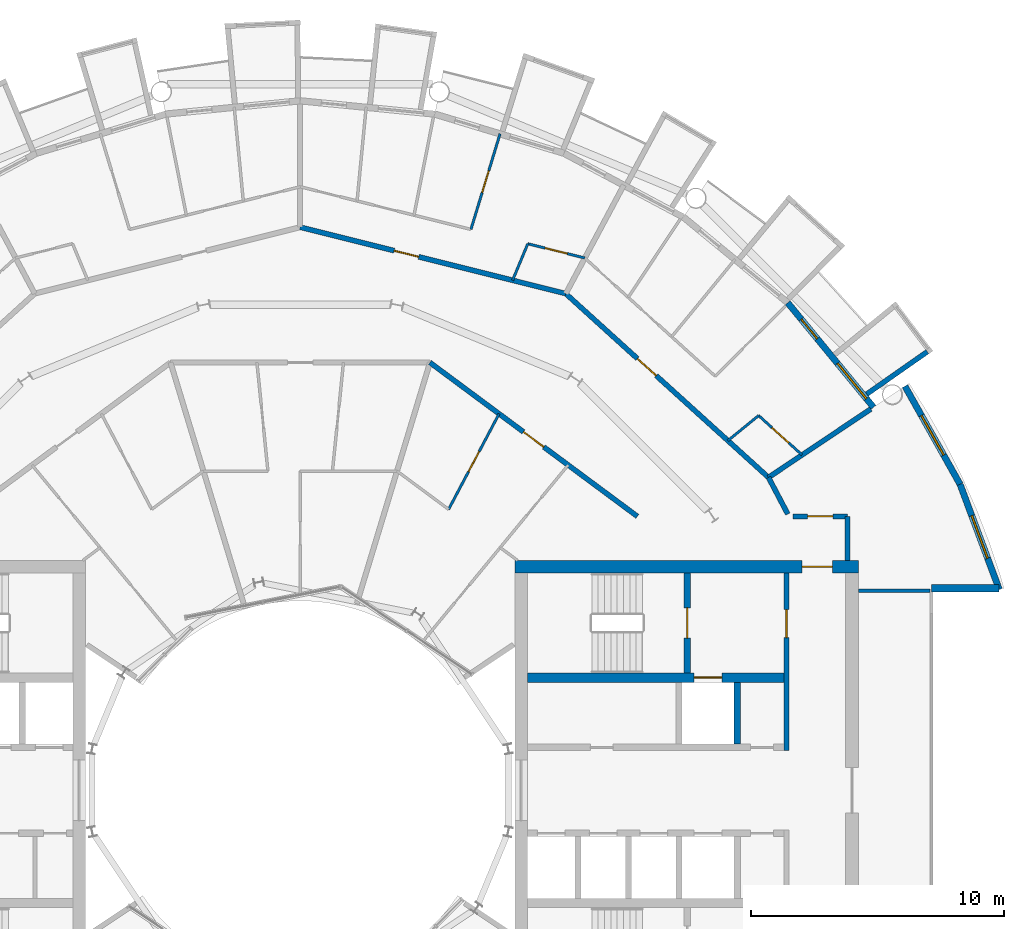
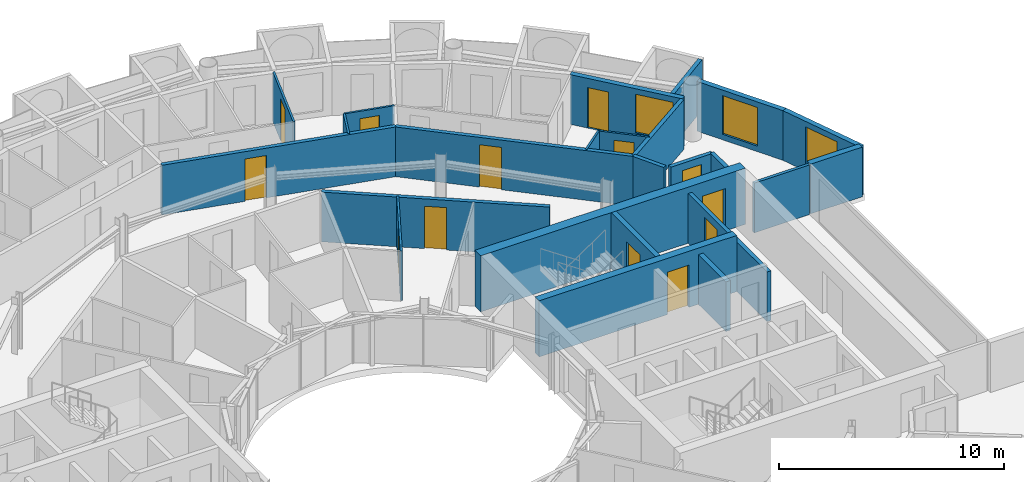
# One storey, part 22 of 27: 24 walls, 13 doors, 3 windows, 16 openings.
"""IFC4 building model written with IfcOpenShell, lengths in metres."""

from ifc_helpers import new_model, si_unit, direction, frame, frame_2d, origin, place, context, subcontext, project, spatial, rectangle, extrude, material, layer, layer_set, type_object, element, fill, save


model = new_model("IFC4")

# Units and contexts
model_context = context("Model", 3, precision=1e-05, world=origin(), true_north=direction((0.0, 1.0)))
body_context = subcontext(model_context, "Body", "Model", "MODEL_VIEW")
ifc_project = project(units=[si_unit("LENGTHUNIT", "METRE"), si_unit("AREAUNIT", "SQUARE_METRE"), si_unit("VOLUMEUNIT", "CUBIC_METRE"), si_unit("PLANEANGLEUNIT", "RADIAN"), si_unit("MASSUNIT", "GRAM", prefix="KILO")], contexts=[model_context])

# Site, building, storey
site_placement = place(None, origin())
site = spatial("IfcSite", under=ifc_project, at=site_placement, CompositionType="ELEMENT")
building_placement = place(site_placement, origin())
building = spatial("IfcBuilding", under=site, at=building_placement, Name="Maasbend Ring Residences", CompositionType="ELEMENT")
storey_placement = place(building_placement, frame((0.0, 0.0, 151.300048828125)))
storey = spatial("IfcBuildingStorey", under=building, at=storey_placement, Name="L43", CompositionType="ELEMENT", Elevation=151.300048828125)

# Wall, opening, door
ifc_material_1 = material(Name="Concrete C60/75", Category="concrete")
ifc_layer_1 = layer(ifc_material_1, 0.25)
ifc_layer_set_1 = layer_set([ifc_layer_1], Name="Concrete C60/75")
wall_type_1 = type_object("IfcWallType", Name="CORE WALL 250 C60/75", PredefinedType="SHEAR", material=ifc_layer_set_1)
wall_1_placement = place(storey_placement, frame((15.324951171875, 4.64990234375, 0.0), z_axis=(0.0, 0.0, 1.0), x_axis=(0.0, 1.0, 0.0)))
wall_1 = element("IfcWall", 1, at=wall_1_placement, inside=storey, type_object=wall_type_1, Name="L43 core E wall STEN", PredefinedType="SHEAR", context=body_context, shape_type="SweptSolid", body=[
    extrude(rectangle(XDim=3.9501953125, YDim=0.25, at=frame_2d((1.97509765625, 0.0))), origin(), (0.0, 0.0, 1.0), 3.050048828125),
])
opening_1_placement = place(wall_1_placement, frame((1.375, 0.0, 0.0)))
opening_1 = element("IfcOpeningElement", 2, at=opening_1_placement, cuts=wall_1, Name="Opening D-E4310", PredefinedType="OPENING", context=body_context, shape_type="SweptSolid", body=[
    extrude(rectangle(XDim=1.199951171875, YDim=2.300048828125, at=frame_2d((0.60009765625, 1.14990234375))), frame((0.0, 0.135009765625, 0.0), z_axis=(0.0, -1.0, 0.0), x_axis=(1.0, 0.0, 0.0)), (0.0, 0.0, 1.0), 0.27001953125),
])
ifc_material_2 = material(Name="Steel, powder coated", Category="steel")
door_type_1 = type_object("IfcDoorType", Name="STAIR DOOR 1200 X 2300 FD60", OperationType="NOTDEFINED", PredefinedType="DOOR", material=ifc_material_2)
door_1_placement = place(opening_1_placement, origin())
door_1 = element("IfcDoor", 3, at=door_1_placement, inside=storey, type_object=door_type_1, Name="Stair door ST-E L43", OperationType="SINGLE_SWING_LEFT", OverallHeight=2.300048828125, OverallWidth=1.199951171875, PredefinedType="DOOR", context=body_context, shape_type="SweptSolid", body=[
    extrude(rectangle(XDim=1.199951171875, YDim=2.300048828125, at=frame_2d((0.60009765625, 1.14990234375))), frame((0.0, 0.02490234375, 0.0), z_axis=(0.0, -1.0, 0.0), x_axis=(1.0, 0.0, 0.0)), (0.0, 0.0, 1.0), 0.050048828125),
])
fill(opening_1, door_1)

ifc_material_3 = material(Name="Concrete C60/75", Category="concrete")
ifc_layer_2 = layer(ifc_material_3, 0.375)
ifc_layer_set_2 = layer_set([ifc_layer_2], Name="Concrete C60/75")
wall_type_2 = type_object("IfcWallType", Name="CORE WALL 375 C60/75", PredefinedType="SHEAR", material=ifc_layer_set_2)
wall_2_placement = place(storey_placement, frame((9.0, 4.46240234375, 0.0), z_axis=(0.0, 0.0, 1.0), x_axis=(1.0, 0.0, 0.0)))
wall_2 = element("IfcWall", 4, at=wall_2_placement, inside=storey, type_object=wall_type_2, Name="L43 core E wall BN", PredefinedType="SHEAR", context=body_context, shape_type="SweptSolid", body=[
    extrude(rectangle(XDim=10.14990234375, YDim=0.375, at=frame_2d((5.074951171875, 0.0))), origin(), (0.0, 0.0, 1.0), 3.050048828125),
])
opening_2_placement = place(wall_2_placement, frame((6.60009765625, 0.0, 0.0)))
opening_2 = element("IfcOpeningElement", 5, at=opening_2_placement, cuts=wall_2, Name="Opening LD-E4301", PredefinedType="OPENING", context=body_context, shape_type="SweptSolid", body=[
    extrude(rectangle(XDim=1.10009765625, YDim=2.300048828125, at=frame_2d((0.550048828125, 1.14990234375))), frame((0.0, 0.197509765625, 0.0), z_axis=(0.0, -1.0, 0.0), x_axis=(1.0, 0.0, 0.0)), (0.0, 0.0, 1.0), 0.39501953125),
])
ifc_material_4 = material(Name="Stainless steel 316", Category="steel")
door_type_2 = type_object("IfcDoorType", Name="LANDING DOOR 1100 X 2300 FD60", OperationType="DOUBLE_DOOR_SLIDING", PredefinedType="DOOR", material=ifc_material_4)
door_2_placement = place(opening_2_placement, origin())
door_2 = element("IfcDoor", 6, at=door_2_placement, inside=storey, type_object=door_type_2, Name="Landing door FF-E L43", OperationType="DOUBLE_DOOR_SLIDING", OverallHeight=2.300048828125, OverallWidth=1.10009765625, PredefinedType="DOOR", context=body_context, shape_type="SweptSolid", body=[
    extrude(rectangle(XDim=1.10009765625, YDim=2.300048828125, at=frame_2d((0.550048828125, 1.14990234375))), frame((0.0, 0.02490234375, 0.0), z_axis=(0.0, -1.0, 0.0), x_axis=(1.0, 0.0, 0.0)), (0.0, 0.0, 1.0), 0.050048828125),
])
fill(opening_2, door_2)

ifc_material_5 = material(Name="Concrete C60/75", Category="concrete")
ifc_layer_3 = layer(ifc_material_5, 0.5)
ifc_layer_set_3 = layer_set([ifc_layer_3], Name="Concrete C60/75")
wall_type_3 = type_object("IfcWallType", Name="CORE WALL 500 C60/75", PredefinedType="SHEAR", material=ifc_layer_set_3)
wall_3_placement = place(storey_placement, frame((22.10009765625, 8.85009765625, 0.0), z_axis=(0.0, 0.0, 1.0), x_axis=(-1.0, 0.0, 0.0)))
wall_3 = element("IfcWall", 7, at=wall_3_placement, inside=storey, type_object=wall_type_3, Name="L43 core E wall PN", PredefinedType="SHEAR", context=body_context, shape_type="SweptSolid", body=[
    extrude(rectangle(XDim=13.60009765625, YDim=0.5, at=frame_2d((6.800048828125, 0.0))), origin(), (0.0, 0.0, 1.0), 3.050048828125),
])
opening_3_placement = place(wall_3_placement, frame((1.02490234375, 0.0, 0.0)))
opening_3 = element("IfcOpeningElement", 8, at=opening_3_placement, cuts=wall_3, Name="Opening D-E4314", PredefinedType="OPENING", context=body_context, shape_type="SweptSolid", body=[
    extrude(rectangle(XDim=1.199951171875, YDim=2.300048828125, at=frame_2d((0.60009765625, 1.14990234375))), frame((0.0, 0.260009765625, 0.0), z_axis=(0.0, -1.0, 0.0), x_axis=(1.0, 0.0, 0.0)), (0.0, 0.0, 1.0), 0.52001953125),
])
ifc_material_6 = material(Name="Steel, powder coated", Category="steel")
door_type_3 = type_object("IfcDoorType", Name="CORRIDOR DOOR 1200 X 2300 FD30S", OperationType="NOTDEFINED", PredefinedType="DOOR", material=ifc_material_6)
door_3_placement = place(opening_3_placement, origin())
door_3 = element("IfcDoor", 9, at=door_3_placement, inside=storey, type_object=door_type_3, Name="Corridor door L43", OperationType="SINGLE_SWING_RIGHT", OverallHeight=2.300048828125, OverallWidth=1.199951171875, PredefinedType="DOOR", context=body_context, shape_type="SweptSolid", body=[
    extrude(rectangle(XDim=1.199951171875, YDim=2.300048828125, at=frame_2d((0.60009765625, 1.14990234375))), frame((0.0, 0.02490234375, 0.0), z_axis=(0.0, -1.0, 0.0), x_axis=(1.0, 0.0, 0.0)), (0.0, 0.0, 1.0), 0.050048828125),
])
fill(opening_3, door_3)

# Wall
ifc_material_7 = material(Name="Concrete C30/37", Category="concrete")
ifc_layer_4 = layer(ifc_material_7, 0.199951171875)
ifc_layer_set_4 = layer_set([ifc_layer_4], Name="Concrete C30/37")
wall_type_4 = type_object("IfcWallType", Name="CORRIDOR WALL 200 CONCRETE", PredefinedType="PARTITIONING", material=ifc_layer_set_4)
wall_4_placement = place(storey_placement, frame((21.675048828125, 9.10009765625, 0.0), z_axis=(0.0, 0.0, 1.0), x_axis=(0.0, 1.0, 0.0)))
element("IfcWall", 10, at=wall_4_placement, inside=storey, type_object=wall_type_4, Name="U-L43-w013", PredefinedType="PARTITIONING", context=body_context, shape_type="SweptSolid", body=[
    extrude(rectangle(XDim=1.75, YDim=0.199951171875, at=frame_2d((0.875, 0.0))), origin(), (0.0, 0.0, 1.0), 2.699951171875),
])

# Wall, opening, door
wall_5_placement = place(storey_placement, frame((19.50390625, 10.85009765625, 0.0), z_axis=(0.0, 0.0, 1.0), x_axis=(1.0, 0.0, 0.0)))
wall_5 = element("IfcWall", 11, at=wall_5_placement, inside=storey, type_object=wall_type_4, Name="U-L43-w092", PredefinedType="PARTITIONING", context=body_context, shape_type="SweptSolid", body=[
    extrude(rectangle(XDim=2.171142578125, YDim=0.199951171875, at=frame_2d((1.08544921875, 0.0))), origin(), (0.0, 0.0, 1.0), 2.699951171875),
])
opening_4_placement = place(wall_5_placement, frame((0.5849609375, 0.0, 0.0)))
opening_4 = element("IfcOpeningElement", 12, at=opening_4_placement, cuts=wall_5, Name="Opening D-4367", PredefinedType="OPENING", context=body_context, shape_type="SweptSolid", body=[
    extrude(rectangle(XDim=1.0, YDim=2.300048828125, at=frame_2d((0.5, 1.14990234375))), frame((0.0, 0.10986328125, 0.0), z_axis=(0.0, -1.0, 0.0), x_axis=(1.0, 0.0, 0.0)), (0.0, 0.0, 1.0), 0.219970703125),
])
ifc_material_8 = material(Name="Timber, painted", Category="wood")
door_type_4 = type_object("IfcDoorType", Name="ROOM DOOR 1000 X 2300", OperationType="NOTDEFINED", PredefinedType="DOOR", material=ifc_material_8)
door_4_placement = place(opening_4_placement, origin())
door_4 = element("IfcDoor", 13, at=door_4_placement, inside=storey, type_object=door_type_4, Name="D-4367", OperationType="SINGLE_SWING_LEFT", OverallHeight=2.300048828125, OverallWidth=1.0, PredefinedType="DOOR", context=body_context, shape_type="SweptSolid", body=[
    extrude(rectangle(XDim=1.0, YDim=2.300048828125, at=frame_2d((0.5, 1.14990234375))), frame((0.0, 0.02490234375, 0.0), z_axis=(0.0, -1.0, 0.0), x_axis=(1.0, 0.0, 0.0)), (0.0, 0.0, 1.0), 0.050048828125),
])
fill(opening_4, door_4)

wall_6_placement = place(storey_placement, frame((5.136962890625, 16.93798828125, 0.0), z_axis=(0.0, 0.0, 1.0), x_axis=(0.803229232922, -0.595670042371, 0.0)))
wall_6 = element("IfcWall", 14, at=wall_6_placement, inside=storey, type_object=wall_type_4, Name="U-L43-w100", PredefinedType="PARTITIONING", context=body_context, shape_type="SweptSolid", body=[
    extrude(rectangle(XDim=10.223876953125, YDim=0.199951171875, at=frame_2d((5.11181640625, 0.0))), origin(), (0.0, 0.0, 1.0), 2.699951171875),
])
opening_5_placement = place(wall_6_placement, frame((4.612060546875, 0.0, 0.0)))
opening_5 = element("IfcOpeningElement", 15, at=opening_5_placement, cuts=wall_6, Name="Opening D-4321", PredefinedType="OPENING", context=body_context, shape_type="SweptSolid", body=[
    extrude(rectangle(XDim=1.0, YDim=2.300048828125, at=frame_2d((0.5, 1.14990234375))), frame((0.0, 0.10986328125, 0.0), z_axis=(0.0, -1.0, 0.0), x_axis=(1.0, 0.0, 0.0)), (0.0, 0.0, 1.0), 0.219970703125),
])
ifc_material_9 = material(Name="Timber, fire-rated, painted", Category="wood")
door_type_5 = type_object("IfcDoorType", Name="FLAT ENTRANCE DOOR 1000 X 2300 FIRE-RATED", OperationType="NOTDEFINED", PredefinedType="DOOR", material=ifc_material_9)
door_5_placement = place(opening_5_placement, origin())
door_5 = element("IfcDoor", 16, at=door_5_placement, inside=storey, type_object=door_type_5, Name="D-4321", OperationType="SINGLE_SWING_RIGHT", OverallHeight=2.300048828125, OverallWidth=1.0, PredefinedType="DOOR", context=body_context, shape_type="SweptSolid", body=[
    extrude(rectangle(XDim=1.0, YDim=2.300048828125, at=frame_2d((0.5, 1.14990234375))), frame((0.0, 0.02490234375, 0.0), z_axis=(0.0, -1.0, 0.0), x_axis=(1.0, 0.0, 0.0)), (0.0, 0.0, 1.0), 0.050048828125),
])
fill(opening_5, door_5)

wall_7_placement = place(storey_placement, frame((-0.006103515625, 22.299072265625, 0.0), z_axis=(0.0, 0.0, 1.0), x_axis=(0.970086843848, -0.242758141765, 0.0)))
wall_7 = element("IfcWall", 17, at=wall_7_placement, inside=storey, type_object=wall_type_4, Name="U-L43-w104", PredefinedType="PARTITIONING", context=body_context, shape_type="SweptSolid", body=[
    extrude(rectangle(XDim=10.84228515625, YDim=0.199951171875, at=frame_2d((5.421142578125, 0.0))), origin(), (0.0, 0.0, 1.0), 2.699951171875),
])
opening_6_placement = place(wall_7_placement, frame((3.841064453125, 0.0, 0.0)))
opening_6 = element("IfcOpeningElement", 18, at=opening_6_placement, cuts=wall_7, Name="Opening D-4306", PredefinedType="OPENING", context=body_context, shape_type="SweptSolid", body=[
    extrude(rectangle(XDim=1.0, YDim=2.300048828125, at=frame_2d((0.5, 1.14990234375))), frame((0.0, 0.10986328125, 0.0), z_axis=(0.0, -1.0, 0.0), x_axis=(1.0, 0.0, 0.0)), (0.0, 0.0, 1.0), 0.219970703125),
])
door_6_placement = place(opening_6_placement, origin())
door_6 = element("IfcDoor", 19, at=door_6_placement, inside=storey, type_object=door_type_5, Name="D-4306", OperationType="SINGLE_SWING_LEFT", OverallHeight=2.300048828125, OverallWidth=1.0, PredefinedType="DOOR", context=body_context, shape_type="SweptSolid", body=[
    extrude(rectangle(XDim=1.0, YDim=2.300048828125, at=frame_2d((0.5, 1.14990234375))), frame((0.0, 0.02490234375, 0.0), z_axis=(0.0, -1.0, 0.0), x_axis=(1.0, 0.0, 0.0)), (0.0, 0.0, 1.0), 0.050048828125),
])
fill(opening_6, door_6)

wall_8_placement = place(storey_placement, frame((10.511962890625, 19.6669921875, 0.0), z_axis=(0.0, 0.0, 1.0), x_axis=(0.740947367223, -0.671563101283, 0.0)))
wall_8 = element("IfcWall", 20, at=wall_8_placement, inside=storey, type_object=wall_type_4, Name="U-L43-w105", PredefinedType="PARTITIONING", context=body_context, shape_type="SweptSolid", body=[
    extrude(rectangle(XDim=10.83740234375, YDim=0.199951171875, at=frame_2d((5.418701171875, 0.0))), origin(), (0.0, 0.0, 1.0), 2.699951171875),
])
opening_7_placement = place(wall_8_placement, frame((3.8349609375, 0.0, 0.0)))
opening_7 = element("IfcOpeningElement", 21, at=opening_7_placement, cuts=wall_8, Name="Opening D-4301", PredefinedType="OPENING", context=body_context, shape_type="SweptSolid", body=[
    extrude(rectangle(XDim=1.0, YDim=2.300048828125, at=frame_2d((0.5, 1.14990234375))), frame((0.0, 0.10986328125, 0.0), z_axis=(0.0, -1.0, 0.0), x_axis=(1.0, 0.0, 0.0)), (0.0, 0.0, 1.0), 0.219970703125),
])
door_7_placement = place(opening_7_placement, origin())
door_7 = element("IfcDoor", 22, at=door_7_placement, inside=storey, type_object=door_type_5, Name="D-4301", OperationType="SINGLE_SWING_LEFT", OverallHeight=2.300048828125, OverallWidth=1.0, PredefinedType="DOOR", context=body_context, shape_type="SweptSolid", body=[
    extrude(rectangle(XDim=1.0, YDim=2.300048828125, at=frame_2d((0.5, 1.14990234375))), frame((0.0, 0.02490234375, 0.0), z_axis=(0.0, -1.0, 0.0), x_axis=(1.0, 0.0, 0.0)), (0.0, 0.0, 1.0), 0.050048828125),
])
fill(opening_7, door_7)

# Walls
wall_9_placement = place(storey_placement, frame((18.5419921875, 12.388916015625, 0.0), z_axis=(0.0, 0.0, 1.0), x_axis=(0.465605550524, -0.884992356646, 0.0)))
element("IfcWall", 23, at=wall_9_placement, inside=storey, type_object=wall_type_4, Name="U-L43-w109", PredefinedType="PARTITIONING", context=body_context, shape_type="SweptSolid", body=[
    extrude(rectangle(XDim=1.642822265625, YDim=0.199951171875, at=frame_2d((0.8212890625, 0.0))), origin(), (0.0, 0.0, 1.0), 2.699951171875),
])
ifc_material_10 = material(Name="Pale anodised aluminium panel", Category="aluminium")
ifc_layer_5 = layer(ifc_material_10, 0.199951171875)
ifc_layer_set_5 = layer_set([ifc_layer_5], Name="EW-BOX")
wall_type_5 = type_object("IfcWallType", Name="EW-BOX", PredefinedType="SOLIDWALL", material=ifc_layer_set_5)
wall_10_placement = place(storey_placement, frame((22.43310546875, 15.68798828125, -0.030029296875), z_axis=(0.0, 0.0, 1.0), x_axis=(0.819373043115, 0.573260687834, 0.0)))
element("IfcWall", 24, at=wall_10_placement, inside=storey, type_object=wall_type_5, Name="Box side wall N01 left", PredefinedType="SOLIDWALL", context=body_context, shape_type="SweptSolid", body=[
    extrude(rectangle(XDim=2.92529296875, YDim=0.199951171875, at=frame_2d((1.462646484375, 0.0))), origin(), (0.0, 0.0, 1.0), 2.72998046875),
])

# Wall, openings, door, window
ifc_material_11 = material(Name="Aluminium clad insulated panel", Category="aluminium")
ifc_layer_6 = layer(ifc_material_11, 0.25)
ifc_layer_set_6 = layer_set([ifc_layer_6], Name="EW-GL")
wall_type_6 = type_object("IfcWallType", Name="EW-GL", PredefinedType="SOLIDWALL", material=ifc_layer_set_6)
wall_11_placement = place(storey_placement, frame((22.698974609375, 15.1669921875, 0.0), z_axis=(0.0, 0.0, 1.0), x_axis=(-0.634382322723, 0.773019449054, 0.0)))
wall_11 = element("IfcWall", 25, at=wall_11_placement, inside=storey, type_object=wall_type_6, Name="External wall N01", PredefinedType="SOLIDWALL", context=body_context, shape_type="SweptSolid", body=[
    extrude(rectangle(XDim=5.351806640625, YDim=0.25, at=frame_2d((2.67578125, 0.0))), origin(), (0.0, 0.0, 1.0), 2.699951171875),
])
opening_8_placement = place(wall_11_placement, frame((0.441162109375, 0.0, 0.300048828125)))
opening_8 = element("IfcOpeningElement", 26, at=opening_8_placement, cuts=wall_11, Name="Opening W-BX", PredefinedType="OPENING", context=body_context, shape_type="SweptSolid", body=[
    extrude(rectangle(XDim=1.800048828125, YDim=2.10009765625, at=frame_2d((0.89990234375, 1.050048828125))), frame((0.0, 0.135009765625, 0.0), z_axis=(0.0, -1.0, 0.0), x_axis=(1.0, 0.0, 0.0)), (0.0, 0.0, 1.0), 0.27001953125),
])
opening_9_placement = place(wall_11_placement, frame((3.510498046875, 0.0, 0.0)))
opening_9 = element("IfcOpeningElement", 27, at=opening_9_placement, cuts=wall_11, Name="Opening D-LG", PredefinedType="OPENING", context=body_context, shape_type="SweptSolid", body=[
    extrude(rectangle(XDim=1.0, YDim=2.199951171875, at=frame_2d((0.5, 1.10009765625))), frame((0.0, 0.135009765625, 0.0), z_axis=(0.0, -1.0, 0.0), x_axis=(1.0, 0.0, 0.0)), (0.0, 0.0, 1.0), 0.27001953125),
])
ifc_material_12 = material(Name="Aluminium and clear glass", Category="aluminium")
door_type_6 = type_object("IfcDoorType", Name="D-LG", OperationType="SINGLE_SWING_LEFT", PredefinedType="DOOR", material=ifc_material_12)
door_8_placement = place(opening_9_placement, origin())
door_8 = element("IfcDoor", 28, at=door_8_placement, inside=storey, type_object=door_type_6, Name="Loggia door N02", OperationType="SINGLE_SWING_LEFT", OverallHeight=2.199951171875, OverallWidth=1.0, PredefinedType="DOOR", context=body_context, shape_type="SweptSolid", body=[
    extrude(rectangle(XDim=1.0, YDim=2.199951171875, at=frame_2d((0.5, 1.10009765625))), frame((0.0, 0.02490234375, 0.0), z_axis=(0.0, -1.0, 0.0), x_axis=(1.0, 0.0, 0.0)), (0.0, 0.0, 1.0), 0.050048828125),
])
fill(opening_9, door_8)
ifc_material_13 = material(Name="Aluminium and clear glass", Category="aluminium")
window_type = type_object("IfcWindowType", Name="W-BX", PartitioningType="DOUBLE_PANEL_VERTICAL", PredefinedType="WINDOW", material=ifc_material_13)
window_1_placement = place(opening_8_placement, origin())
window_1 = element("IfcWindow", 29, at=window_1_placement, inside=storey, type_object=window_type, Name="Window N01 room to box", OverallHeight=2.10009765625, OverallWidth=1.800048828125, PartitioningType="SINGLE_PANEL", PredefinedType="WINDOW", context=body_context, shape_type="SweptSolid", body=[
    extrude(rectangle(XDim=1.800048828125, YDim=2.10009765625, at=frame_2d((0.89990234375, 1.050048828125))), frame((0.0, 0.030029296875, 0.0), z_axis=(0.0, -1.0, 0.0), x_axis=(1.0, 0.0, 0.0)), (0.0, 0.0, 1.0), 0.06005859375),
])
fill(opening_8, window_1)

# Wall, opening, window
ifc_material_14 = material(Name="Aluminium clad insulated panel", Category="aluminium")
ifc_layer_7 = layer(ifc_material_14, 0.25)
ifc_layer_set_7 = layer_set([ifc_layer_7], Name="EW-HORN")
wall_type_7 = type_object("IfcWallType", Name="EW-HORN", PredefinedType="SOLIDWALL", material=ifc_layer_set_7)
wall_12_placement = place(storey_placement, frame((27.681884765625, 7.945068359375, 0.0), z_axis=(0.0, 0.0, 1.0), x_axis=(-0.349247811493, 0.937030397675, 0.0)))
wall_12 = element("IfcWall", 30, at=wall_12_placement, inside=storey, type_object=wall_type_7, Name="Horn wall 1.1", PredefinedType="SOLIDWALL", context=body_context, shape_type="SweptSolid", body=[
    extrude(rectangle(XDim=4.4521484375, YDim=0.25, at=frame_2d((2.22607421875, 0.0))), origin(), (0.0, 0.0, 1.0), 2.699951171875),
])
opening_10_placement = place(wall_12_placement, frame((1.32666015625, 0.0, 0.300048828125)))
opening_10 = element("IfcOpeningElement", 31, at=opening_10_placement, cuts=wall_12, Name="Opening W-BX", PredefinedType="OPENING", context=body_context, shape_type="SweptSolid", body=[
    extrude(rectangle(XDim=1.800048828125, YDim=2.10009765625, at=frame_2d((0.89990234375, 1.050048828125))), frame((0.0, 0.135009765625, 0.0), z_axis=(0.0, -1.0, 0.0), x_axis=(1.0, 0.0, 0.0)), (0.0, 0.0, 1.0), 0.27001953125),
])
window_2_placement = place(opening_10_placement, origin())
window_2 = element("IfcWindow", 32, at=window_2_placement, inside=storey, type_object=window_type, Name="Horn window 1.1", OverallHeight=2.10009765625, OverallWidth=1.800048828125, PartitioningType="SINGLE_PANEL", PredefinedType="WINDOW", context=body_context, shape_type="SweptSolid", body=[
    extrude(rectangle(XDim=1.800048828125, YDim=2.10009765625, at=frame_2d((0.89990234375, 1.050048828125))), frame((0.0, 0.030029296875, 0.0), z_axis=(0.0, -1.0, 0.0), x_axis=(1.0, 0.0, 0.0)), (0.0, 0.0, 1.0), 0.06005859375),
])
fill(opening_10, window_2)

wall_13_placement = place(storey_placement, frame((26.126953125, 12.116943359375, 0.0), z_axis=(0.0, 0.0, 1.0), x_axis=(-0.489696356642, 0.871893042919, 0.0)))
wall_13 = element("IfcWall", 33, at=wall_13_placement, inside=storey, type_object=wall_type_7, Name="Horn wall 1.2", PredefinedType="SOLIDWALL", context=body_context, shape_type="SweptSolid", body=[
    extrude(rectangle(XDim=4.45361328125, YDim=0.25, at=frame_2d((2.226806640625, 0.0))), origin(), (0.0, 0.0, 1.0), 2.699951171875),
])
opening_11_placement = place(wall_13_placement, frame((1.32666015625, 0.0, 0.300048828125)))
opening_11 = element("IfcOpeningElement", 34, at=opening_11_placement, cuts=wall_13, Name="Opening W-BX", PredefinedType="OPENING", context=body_context, shape_type="SweptSolid", body=[
    extrude(rectangle(XDim=1.800048828125, YDim=2.10009765625, at=frame_2d((0.89990234375, 1.050048828125))), frame((0.0, 0.135009765625, 0.0), z_axis=(0.0, -1.0, 0.0), x_axis=(1.0, 0.0, 0.0)), (0.0, 0.0, 1.0), 0.27001953125),
])
window_3_placement = place(opening_11_placement, origin())
window_3 = element("IfcWindow", 35, at=window_3_placement, inside=storey, type_object=window_type, Name="Horn window 1.2", OverallHeight=2.10009765625, OverallWidth=1.800048828125, PartitioningType="SINGLE_PANEL", PredefinedType="WINDOW", context=body_context, shape_type="SweptSolid", body=[
    extrude(rectangle(XDim=1.800048828125, YDim=2.10009765625, at=frame_2d((0.89990234375, 1.050048828125))), frame((0.0, 0.030029296875, 0.0), z_axis=(0.0, -1.0, 0.0), x_axis=(1.0, 0.0, 0.0)), (0.0, 0.0, 1.0), 0.06005859375),
])
fill(opening_11, window_3)

# Walls
ifc_material_15 = material(Name="Aluminium clad insulated panel", Category="aluminium")
ifc_layer_8 = layer(ifc_material_15, 0.300048828125)
ifc_layer_set_8 = layer_set([ifc_layer_8], Name="EW-RET")
wall_type_8 = type_object("IfcWallType", Name="EW-RET", PredefinedType="SOLIDWALL", material=ifc_layer_set_8)
wall_14_placement = place(storey_placement, frame((25.0, 8.0, 0.0), z_axis=(0.0, 0.0, 1.0), x_axis=(1.0, 0.0, 0.0)))
element("IfcWall", 36, at=wall_14_placement, inside=storey, type_object=wall_type_8, Name="Notch return wall east north", PredefinedType="SOLIDWALL", context=body_context, shape_type="SweptSolid", body=[
    extrude(rectangle(XDim=2.6669921875, YDim=0.300048828125, at=frame_2d((1.33349609375, 0.0))), origin(), (0.0, 0.0, 1.0), 2.699951171875),
])
ifc_material_16 = material(Name="Gypsum board on steel studs", Category="steel")
ifc_layer_9 = layer(ifc_material_16, 0.10009765625)
ifc_layer_set_9 = layer_set([ifc_layer_9], Name="PARTITION 100 GYPSUM")
wall_type_9 = type_object("IfcWallType", Name="PARTITION 100 GYPSUM", PredefinedType="PARTITIONING", material=ifc_layer_set_9)
wall_15_placement = place(storey_placement, frame((8.409912109375, 20.193115234375, 0.0), z_axis=(0.0, 0.0, 1.0), x_axis=(0.384228756538, 0.923237923099, 0.0)))
element("IfcWall", 37, at=wall_15_placement, inside=storey, type_object=wall_type_9, Name="U-L43-w032", PredefinedType="PARTITIONING", context=body_context, shape_type="SweptSolid", body=[
    extrude(rectangle(XDim=1.5693359375, YDim=0.10009765625, at=frame_2d((0.78466796875, 0.0))), origin(), (0.0, 0.0, 1.0), 2.699951171875),
])

# Wall, opening, door
wall_16_placement = place(storey_placement, frame((5.876953125, 11.125, 0.0), z_axis=(0.0, 0.0, 1.0), x_axis=(0.467030118529, 0.884241408432, 0.0)))
wall_16 = element("IfcWall", 38, at=wall_16_placement, inside=storey, type_object=wall_type_9, Name="U-L43-w074", PredefinedType="PARTITIONING", context=body_context, shape_type="SweptSolid", body=[
    extrude(rectangle(XDim=4.278076171875, YDim=0.10009765625, at=frame_2d((2.13916015625, 0.0))), origin(), (0.0, 0.0, 1.0), 2.699951171875),
])
opening_12_placement = place(wall_16_placement, frame((1.68896484375, 0.0, 0.0)))
opening_12 = element("IfcOpeningElement", 39, at=opening_12_placement, cuts=wall_16, Name="Opening D-4322", PredefinedType="OPENING", context=body_context, shape_type="SweptSolid", body=[
    extrude(rectangle(XDim=0.89990234375, YDim=2.300048828125, at=frame_2d((0.449951171875, 1.14990234375))), frame((0.0, 0.06005859375, 0.0), z_axis=(0.0, -1.0, 0.0), x_axis=(1.0, 0.0, 0.0)), (0.0, 0.0, 1.0), 0.1201171875),
])
ifc_material_17 = material(Name="Timber, painted", Category="wood")
door_type_7 = type_object("IfcDoorType", Name="INTERNAL DOOR 900 X 2300", OperationType="NOTDEFINED", PredefinedType="DOOR", material=ifc_material_17)
door_9_placement = place(opening_12_placement, origin())
door_9 = element("IfcDoor", 40, at=door_9_placement, inside=storey, type_object=door_type_7, Name="D-4322", OperationType="SINGLE_SWING_RIGHT", OverallHeight=2.300048828125, OverallWidth=0.89990234375, PredefinedType="DOOR", context=body_context, shape_type="SweptSolid", body=[
    extrude(rectangle(XDim=0.89990234375, YDim=2.300048828125, at=frame_2d((0.449951171875, 1.14990234375))), frame((0.0, 0.02490234375, 0.0), z_axis=(0.0, -1.0, 0.0), x_axis=(1.0, 0.0, 0.0)), (0.0, 0.0, 1.0), 0.050048828125),
])
fill(opening_12, door_9)

wall_17_placement = place(storey_placement, frame((6.760009765625, 22.20703125, 0.0), z_axis=(0.0, 0.0, 1.0), x_axis=(0.291291575636, 0.956634317785, 0.0)))
wall_17 = element("IfcWall", 41, at=wall_17_placement, inside=storey, type_object=wall_type_9, Name="U-L43-w075", PredefinedType="PARTITIONING", context=body_context, shape_type="SweptSolid", body=[
    extrude(rectangle(XDim=3.9619140625, YDim=0.10009765625, at=frame_2d((1.98095703125, 0.0))), origin(), (0.0, 0.0, 1.0), 2.699951171875),
])
opening_13_placement = place(wall_17_placement, frame((1.531005859375, 0.0, 0.0)))
opening_13 = element("IfcOpeningElement", 42, at=opening_13_placement, cuts=wall_17, Name="Opening D-4308", PredefinedType="OPENING", context=body_context, shape_type="SweptSolid", body=[
    extrude(rectangle(XDim=0.89990234375, YDim=2.300048828125, at=frame_2d((0.449951171875, 1.14990234375))), frame((0.0, 0.06005859375, 0.0), z_axis=(0.0, -1.0, 0.0), x_axis=(1.0, 0.0, 0.0)), (0.0, 0.0, 1.0), 0.1201171875),
])
door_10_placement = place(opening_13_placement, origin())
door_10 = element("IfcDoor", 43, at=door_10_placement, inside=storey, type_object=door_type_7, Name="D-4308", OperationType="SINGLE_SWING_RIGHT", OverallHeight=2.300048828125, OverallWidth=0.89990234375, PredefinedType="DOOR", context=body_context, shape_type="SweptSolid", body=[
    extrude(rectangle(XDim=0.89990234375, YDim=2.300048828125, at=frame_2d((0.449951171875, 1.14990234375))), frame((0.0, 0.02490234375, 0.0), z_axis=(0.0, -1.0, 0.0), x_axis=(1.0, 0.0, 0.0)), (0.0, 0.0, 1.0), 0.050048828125),
])
fill(opening_13, door_10)

# Wall
wall_18_placement = place(storey_placement, frame((16.93603515625, 13.844970703125, 0.0), z_axis=(0.0, 0.0, 1.0), x_axis=(0.774283039722, 0.632839453889, 0.0)))
element("IfcWall", 44, at=wall_18_placement, inside=storey, type_object=wall_type_9, Name="U-L43-w084", PredefinedType="PARTITIONING", context=body_context, shape_type="SweptSolid", body=[
    extrude(rectangle(XDim=1.569091796875, YDim=0.10009765625, at=frame_2d((0.78466796875, 0.0))), origin(), (0.0, 0.0, 1.0), 2.699951171875),
])

# Wall, opening, door
wall_19_placement = place(storey_placement, frame((9.012939453125, 21.64208984375, 0.0), z_axis=(0.0, 0.0, 1.0), x_axis=(0.970049686104, -0.242906579758, 0.0)))
wall_19 = element("IfcWall", 45, at=wall_19_placement, inside=storey, type_object=wall_type_9, Name="U-L43-w115", PredefinedType="PARTITIONING", context=body_context, shape_type="SweptSolid", body=[
    extrude(rectangle(XDim=2.32275390625, YDim=0.10009765625, at=frame_2d((1.161376953125, 0.0))), origin(), (0.0, 0.0, 1.0), 2.699951171875),
])
opening_14_placement = place(wall_19_placement, frame((0.7109375, 0.0, 0.0)))
opening_14 = element("IfcOpeningElement", 46, at=opening_14_placement, cuts=wall_19, Name="Opening D-4307", PredefinedType="OPENING", context=body_context, shape_type="SweptSolid", body=[
    extrude(rectangle(XDim=0.89990234375, YDim=2.300048828125, at=frame_2d((0.449951171875, 1.14990234375))), frame((0.0, 0.06005859375, 0.0), z_axis=(0.0, -1.0, 0.0), x_axis=(1.0, 0.0, 0.0)), (0.0, 0.0, 1.0), 0.1201171875),
])
door_11_placement = place(opening_14_placement, origin())
door_11 = element("IfcDoor", 47, at=door_11_placement, inside=storey, type_object=door_type_7, Name="D-4307", OperationType="SINGLE_SWING_RIGHT", OverallHeight=2.300048828125, OverallWidth=0.89990234375, PredefinedType="DOOR", context=body_context, shape_type="SweptSolid", body=[
    extrude(rectangle(XDim=0.89990234375, YDim=2.300048828125, at=frame_2d((0.449951171875, 1.14990234375))), frame((0.0, 0.02490234375, 0.0), z_axis=(0.0, -1.0, 0.0), x_axis=(1.0, 0.0, 0.0)), (0.0, 0.0, 1.0), 0.050048828125),
])
fill(opening_14, door_11)

wall_20_placement = place(storey_placement, frame((18.14892578125, 14.840087890625, 0.0), z_axis=(0.0, 0.0, 1.0), x_axis=(0.741127434804, -0.671364376014, 0.0)))
wall_20 = element("IfcWall", 48, at=wall_20_placement, inside=storey, type_object=wall_type_9, Name="U-L43-w117", PredefinedType="PARTITIONING", context=body_context, shape_type="SweptSolid", body=[
    extrude(rectangle(XDim=2.32373046875, YDim=0.10009765625, at=frame_2d((1.161865234375, 0.0))), origin(), (0.0, 0.0, 1.0), 2.699951171875),
])
opening_15_placement = place(wall_20_placement, frame((0.714111328125, 0.0, 0.0)))
opening_15 = element("IfcOpeningElement", 49, at=opening_15_placement, cuts=wall_20, Name="Opening D-4302", PredefinedType="OPENING", context=body_context, shape_type="SweptSolid", body=[
    extrude(rectangle(XDim=0.89990234375, YDim=2.300048828125, at=frame_2d((0.449951171875, 1.14990234375))), frame((0.0, 0.06005859375, 0.0), z_axis=(0.0, -1.0, 0.0), x_axis=(1.0, 0.0, 0.0)), (0.0, 0.0, 1.0), 0.1201171875),
])
door_12_placement = place(opening_15_placement, origin())
door_12 = element("IfcDoor", 50, at=door_12_placement, inside=storey, type_object=door_type_7, Name="D-4302", OperationType="SINGLE_SWING_RIGHT", OverallHeight=2.300048828125, OverallWidth=0.89990234375, PredefinedType="DOOR", context=body_context, shape_type="SweptSolid", body=[
    extrude(rectangle(XDim=0.89990234375, YDim=2.300048828125, at=frame_2d((0.449951171875, 1.14990234375))), frame((0.0, 0.02490234375, 0.0), z_axis=(0.0, -1.0, 0.0), x_axis=(1.0, 0.0, 0.0)), (0.0, 0.0, 1.0), 0.050048828125),
])
fill(opening_15, door_12)

# Walls
ifc_material_18 = material(Name="Gypsum board on steel studs", Category="steel")
ifc_layer_10 = layer(ifc_material_18, 0.14990234375)
ifc_layer_set_10 = layer_set([ifc_layer_10], Name="PARTITION 150 EI 60")
wall_type_10 = type_object("IfcWallType", Name="PARTITION 150 EI 60", PredefinedType="PARTITIONING", material=ifc_layer_set_10)
wall_21_placement = place(storey_placement, frame((22.10009765625, 7.89990234375, 0.0), z_axis=(0.0, 0.0, 1.0), x_axis=(1.0, 0.0, 0.0)))
element("IfcWall", 51, at=wall_21_placement, inside=storey, type_object=wall_type_10, Name="L43 core E wall CITN", PredefinedType="PARTITIONING", context=body_context, shape_type="SweptSolid", body=[
    extrude(rectangle(XDim=2.83984375, YDim=0.14990234375, at=frame_2d((1.419921875, 0.0))), origin(), (0.0, 0.0, 1.0), 2.699951171875),
])
ifc_material_19 = material(Name="Concrete C30/37", Category="concrete")
ifc_layer_11 = layer(ifc_material_19, 0.199951171875)
ifc_layer_set_11 = layer_set([ifc_layer_11], Name="Concrete C30/37")
wall_type_11 = type_object("IfcWallType", Name="PARTY WALL 200 CONCRETE", PredefinedType="PARTITIONING", material=ifc_layer_set_11)
wall_22_placement = place(storey_placement, frame((18.5419921875, 12.388916015625, 0.0), z_axis=(0.0, 0.0, 1.0), x_axis=(0.831387096605, 0.55569370664, 0.0)))
element("IfcWall", 52, at=wall_22_placement, inside=storey, type_object=wall_type_11, Name="U-L43-w086", PredefinedType="PARTITIONING", context=body_context, shape_type="SweptSolid", body=[
    extrude(rectangle(XDim=4.875, YDim=0.199951171875, at=frame_2d((2.4375, 0.0))), origin(), (0.0, 0.0, 1.0), 2.699951171875),
])

# Wall, opening, door
ifc_material_20 = material(Name="Concrete C30/37", Category="concrete")
ifc_layer_12 = layer(ifc_material_20, 0.199951171875)
ifc_layer_set_12 = layer_set([ifc_layer_12], Name="Concrete C30/37")
wall_type_12 = type_object("IfcWallType", Name="SHAFT WALL 200 EI 120", PredefinedType="SOLIDWALL", material=ifc_layer_set_12)
wall_23_placement = place(storey_placement, frame((19.25, 1.574951171875, 0.0), z_axis=(0.0, 0.0, 1.0), x_axis=(0.0, 1.0, 0.0)))
wall_23 = element("IfcWall", 53, at=wall_23_placement, inside=storey, type_object=wall_type_12, Name="L43 core E wall ENDN", PredefinedType="SOLIDWALL", context=body_context, shape_type="SweptSolid", body=[
    extrude(rectangle(XDim=7.025146484375, YDim=0.199951171875, at=frame_2d((3.5126953125, 0.0))), origin(), (0.0, 0.0, 1.0), 2.699951171875),
])
opening_16_placement = place(wall_23_placement, frame((4.47509765625, 0.0, 0.0)))
opening_16 = element("IfcOpeningElement", 54, at=opening_16_placement, cuts=wall_23, Name="Opening D-E4312", PredefinedType="OPENING", context=body_context, shape_type="SweptSolid", body=[
    extrude(rectangle(XDim=1.10009765625, YDim=2.300048828125, at=frame_2d((0.550048828125, 1.14990234375))), frame((0.0, 0.10986328125, 0.0), z_axis=(0.0, -1.0, 0.0), x_axis=(1.0, 0.0, 0.0)), (0.0, 0.0, 1.0), 0.219970703125),
])
ifc_material_21 = material(Name="Steel, powder coated", Category="steel")
door_type_8 = type_object("IfcDoorType", Name="LOBBY DOOR 1100 X 2300 FD60", OperationType="NOTDEFINED", PredefinedType="DOOR", material=ifc_material_21)
door_13_placement = place(opening_16_placement, origin())
door_13 = element("IfcDoor", 55, at=door_13_placement, inside=storey, type_object=door_type_8, Name="Lobby door L43", OperationType="SINGLE_SWING_LEFT", OverallHeight=2.300048828125, OverallWidth=1.10009765625, PredefinedType="DOOR", context=body_context, shape_type="SweptSolid", body=[
    extrude(rectangle(XDim=1.10009765625, YDim=2.300048828125, at=frame_2d((0.550048828125, 1.14990234375))), frame((0.0, 0.02490234375, 0.0), z_axis=(0.0, -1.0, 0.0), x_axis=(1.0, 0.0, 0.0)), (0.0, 0.0, 1.0), 0.050048828125),
])
fill(opening_16, door_13)

# Wall
ifc_material_22 = material(Name="Concrete C30/37", Category="concrete")
ifc_layer_13 = layer(ifc_material_22, 0.25)
ifc_layer_set_13 = layer_set([ifc_layer_13], Name="Concrete C30/37")
wall_type_13 = type_object("IfcWallType", Name="SHAFT WALL 250 EI 120", PredefinedType="SOLIDWALL", material=ifc_layer_set_13)
wall_24_placement = place(storey_placement, frame((17.300048828125, 1.824951171875, 0.0), z_axis=(0.0, 0.0, 1.0), x_axis=(0.0, 1.0, 0.0)))
element("IfcWall", 56, at=wall_24_placement, inside=storey, type_object=wall_type_13, Name="L43 core E wall D173N", PredefinedType="SOLIDWALL", context=body_context, shape_type="SweptSolid", body=[
    extrude(rectangle(XDim=2.449951171875, YDim=0.25, at=frame_2d((1.22509765625, 0.0))), origin(), (0.0, 0.0, 1.0), 2.699951171875),
])

save(model, "model.ifc")
